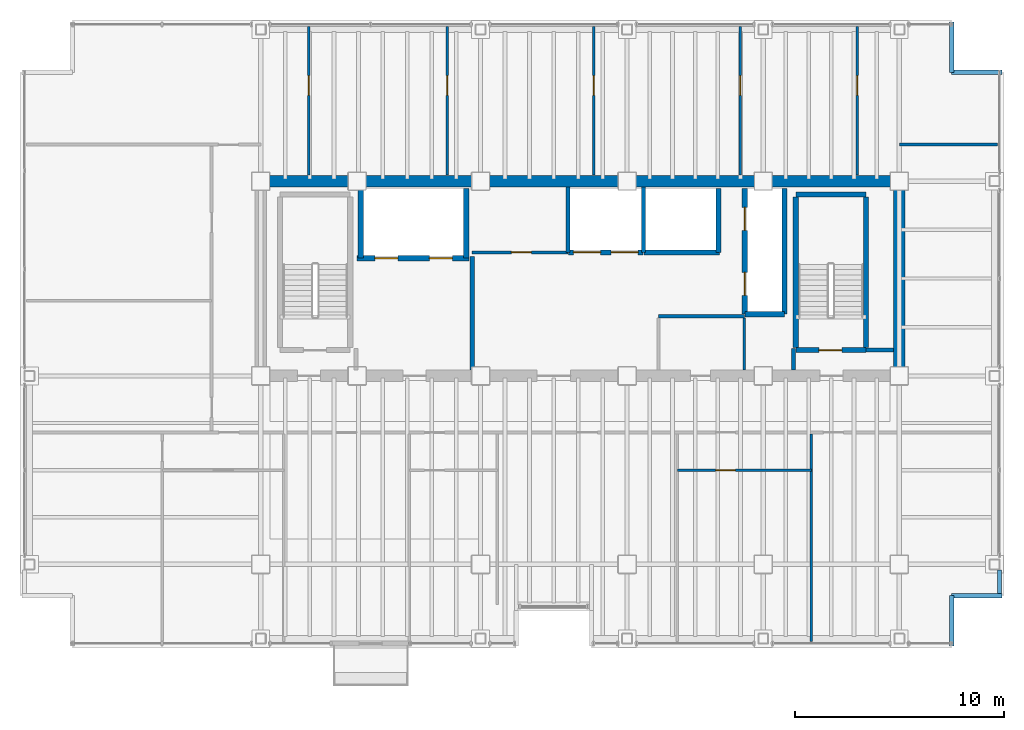
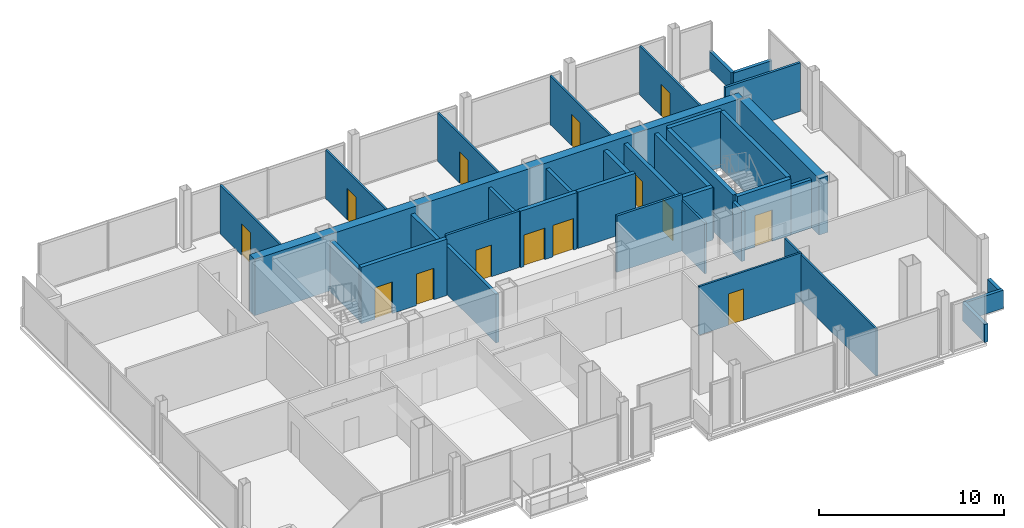
# One storey, part 17 of 19: 36 walls, 14 doors, 14 openings.
"""IFC4 building model written with IfcOpenShell, lengths in metres."""

from ifc_helpers import new_model, si_unit, direction, frame, frame_2d, origin, place, context, subcontext, project, spatial, rectangle, extrude, material, layer, layer_set, type_object, element, fill, save


model = new_model("IFC4")

# Units and contexts
model_context = context("Model", 3, precision=1e-05, world=origin(), true_north=direction((0.0, 1.0)))
body_context = subcontext(model_context, "Body", "Model", "MODEL_VIEW")
ifc_project = project(units=[si_unit("LENGTHUNIT", "METRE"), si_unit("AREAUNIT", "SQUARE_METRE"), si_unit("VOLUMEUNIT", "CUBIC_METRE"), si_unit("PLANEANGLEUNIT", "RADIAN"), si_unit("MASSUNIT", "GRAM", prefix="KILO")], contexts=[model_context])

# Site, building, storey
site_placement = place(None, origin())
site = spatial("IfcSite", under=ifc_project, at=site_placement, CompositionType="ELEMENT")
building_placement = place(site_placement, origin())
building = spatial("IfcBuilding", under=site, at=building_placement, Name="Noeulbin Bourse Tower", CompositionType="ELEMENT")
storey_placement = place(building_placement, frame((0.0, 0.0, 153.89990234375)))
storey = spatial("IfcBuildingStorey", under=building, at=storey_placement, Name="L38", CompositionType="ELEMENT", Elevation=153.89990234375)

# Walls
ifc_material_1 = material(Name="Concrete C60/75", Category="concrete")
ifc_layer_1 = layer(ifc_material_1, 0.550048828125)
ifc_layer_set_1 = layer_set([ifc_layer_1], Name="Concrete C60/75")
wall_type_1 = type_object("IfcWallType", Name="WAL-CORE-550", PredefinedType="SHEAR", material=ifc_layer_set_1)
wall_1_placement = place(storey_placement, frame((13.5, 38.300048828125, 0.0), z_axis=(0.0, 0.0, 1.0), x_axis=(1.0, 0.0, 0.0)))
element("IfcWall", 1, at=wall_1_placement, inside=storey, type_object=wall_type_1, Name="Rear Core North Shear Wall L38", PredefinedType="SHEAR", context=body_context, shape_type="SweptSolid", body=[
    extrude(rectangle(XDim=30.5, YDim=0.550048828125, at=frame_2d((15.25, 0.0))), origin(), (0.0, 0.0, 1.0), 3.72021484375),
])
wall_2_placement = place(storey_placement, frame((44.0, 29.35009765625, 0.0), z_axis=(0.0, 0.0, 1.0), x_axis=(0.0, 1.0, 0.0)))
element("IfcWall", 2, at=wall_2_placement, inside=storey, type_object=wall_type_1, Name="Rear Core East Shear Wall L38", PredefinedType="SHEAR", context=body_context, shape_type="SweptSolid", body=[
    extrude(rectangle(XDim=8.599853515625, YDim=0.550048828125, at=frame_2d((4.2998046875, 0.0))), origin(), (0.0, 0.0, 1.0), 3.72021484375),
])
ifc_material_2 = material(Name="Concrete C40/50", Category="concrete")
ifc_layer_2 = layer(ifc_material_2, 0.199951171875)
ifc_layer_set_2 = layer_set([ifc_layer_2], Name="Concrete C40/50")
wall_type_2 = type_object("IfcWallType", Name="WAL-FIRE-200", PredefinedType="STANDARD", material=ifc_layer_set_2)
wall_3_placement = place(storey_placement, frame((42.39990234375, 30.239990234375, 0.0), z_axis=(0.0, 0.0, 1.0), x_axis=(1.0, 0.0, 0.0)))
element("IfcWall", 3, at=wall_3_placement, inside=storey, type_object=wall_type_2, Name="Interior Partition Wall L38-01", PredefinedType="STANDARD", context=body_context, shape_type="SweptSolid", body=[
    extrude(rectangle(XDim=1.315185546875, YDim=0.199951171875, at=frame_2d((0.65771484375, 0.0))), origin(), (0.0, 0.0, 1.0), 3.2001953125),
])
wall_4_placement = place(storey_placement, frame((38.949951171875, 29.284912109375, 0.0), z_axis=(0.0, 0.0, 1.0), x_axis=(0.0, 1.0, 0.0)))
element("IfcWall", 4, at=wall_4_placement, inside=storey, type_object=wall_type_2, Name="Interior Partition Wall L38-12", PredefinedType="STANDARD", context=body_context, shape_type="SweptSolid", body=[
    extrude(rectangle(XDim=1.01513671875, YDim=0.199951171875, at=frame_2d((0.507568359375, 0.0))), origin(), (0.0, 0.0, 1.0), 3.35009765625),
])
wall_5_placement = place(storey_placement, frame((23.60009765625, 29.284912109375, 0.0), z_axis=(0.0, 0.0, 1.0), x_axis=(0.0, 1.0, 0.0)))
element("IfcWall", 5, at=wall_5_placement, inside=storey, type_object=wall_type_2, Name="Interior Partition Wall L38-13", PredefinedType="STANDARD", context=body_context, shape_type="SweptSolid", body=[
    extrude(rectangle(XDim=5.4150390625, YDim=0.199951171875, at=frame_2d((2.70751953125, 0.0))), origin(), (0.0, 0.0, 1.0), 3.2001953125),
])
ifc_layer_3 = layer(ifc_material_2, 0.199951171875)
ifc_layer_set_3 = layer_set([ifc_layer_3], Name="Concrete C40/50")
wall_type_3 = type_object("IfcWallType", Name="WAL-PAR-200", PredefinedType="PARAPET", material=ifc_layer_set_3)
wall_6_placement = place(storey_placement, frame((48.780029296875, 18.60009765625, 0.0), z_axis=(0.0, 0.0, 1.0), x_axis=(0.0, 1.0, 0.0)))
element("IfcWall", 6, at=wall_6_placement, inside=storey, type_object=wall_type_3, Name="Perimeter Pier Spandrel Parapet L38-E2", PredefinedType="PARAPET", context=body_context, shape_type="SweptSolid", body=[
    extrude(rectangle(XDim=1.1298828125, YDim=0.199951171875, at=frame_2d((0.56494140625, 0.0))), origin(), (0.0, 0.0, 1.0), 1.2001953125),
])
for number, where, z_axis, x_axis, name in (
    (7, (46.5, 16.10009765625, 0.0), (0.0, 0.0, 1.0), (0.0, 1.0, 0.0), "Corner Notch Parapet L38-SE1"),
    (8, (46.5, 18.5, 0.0), (0.0, 0.0, 1.0), (1.0, 0.0, 0.0), "Corner Notch Parapet L38-SE2"),
    (9, (46.5, 45.89990234375, 0.0), (0.0, 0.0, 1.0), (0.0, -1.0, 0.0), "Corner Notch Parapet L38-NE1"),
    (10, (46.5, 43.5, 0.0), (0.0, 0.0, 1.0), (1.0, 0.0, 0.0), "Corner Notch Parapet L38-NE2"),
):
    element("IfcWall", number, at=place(storey_placement, frame(where, z_axis=z_axis, x_axis=x_axis)), inside=storey, type_object=wall_type_3, Name=name, PredefinedType="PARAPET", context=body_context, shape_type="SweptSolid", body=[
        extrude(rectangle(XDim=2.39990234375, YDim=0.199951171875, at=frame_2d((1.199951171875, 0.0))), origin(), (0.0, 0.0, 1.0), 1.2001953125),
    ])

# Wall, opening, door
ifc_material_3 = material(Name="Steel Stud Gypsum Partition", Category="steel")
ifc_layer_4 = layer(ifc_material_3, 0.1201171875)
ifc_layer_set_4 = layer_set([ifc_layer_4], Name="Steel Stud Gypsum Partition")
wall_type_4 = type_object("IfcWallType", Name="WAL-PRT-120", PredefinedType="PARTITIONING", material=ifc_layer_set_4)
wall_7_placement = place(storey_placement, frame((33.39990234375, 24.5, 0.0), z_axis=(0.0, 0.0, 1.0), x_axis=(1.0, 0.0, 0.0)))
wall_7 = element("IfcWall", 11, at=wall_7_placement, inside=storey, type_object=wall_type_4, Name="Interior Partition Wall L38-07", PredefinedType="PARTITIONING", context=body_context, shape_type="SweptSolid", body=[
    extrude(rectangle(XDim=6.400146484375, YDim=0.1201171875, at=frame_2d((3.2001953125, 0.0))), origin(), (0.0, 0.0, 1.0), 3.2001953125),
])
opening_1_placement = place(wall_7_placement, frame((1.824951171875, 0.0, 0.0)))
opening_1 = element("IfcOpeningElement", 12, at=opening_1_placement, cuts=wall_7, Name="Opening ID-09", PredefinedType="OPENING", context=body_context, shape_type="SweptSolid", body=[
    extrude(rectangle(XDim=0.949951171875, YDim=2.080078125, at=frame_2d((0.47509765625, 1.0400390625))), frame((0.0, 0.070068359375, 0.0), z_axis=(0.0, -1.0, 0.0), x_axis=(1.0, 0.0, 0.0)), (0.0, 0.0, 1.0), 0.14013671875),
])
ifc_material_4 = material(Name="Acoustic Solid-Core Timber", Category="wood")
door_type_1 = type_object("IfcDoorType", Name="DR-SINGLE-950", OperationType="SINGLE_SWING_LEFT", PredefinedType="DOOR", material=ifc_material_4)
door_1_placement = place(opening_1_placement, origin())
door_1 = element("IfcDoor", 13, at=door_1_placement, inside=storey, type_object=door_type_1, Name="Interior Door L38-14", OperationType="SINGLE_SWING_RIGHT", OverallHeight=2.080078125, OverallWidth=0.949951171875, PredefinedType="DOOR", context=body_context, shape_type="SweptSolid", body=[
    extrude(rectangle(XDim=0.949951171875, YDim=2.080078125, at=frame_2d((0.47509765625, 1.0400390625))), frame((0.0, 0.02490234375, 0.0), z_axis=(0.0, -1.0, 0.0), x_axis=(1.0, 0.0, 0.0)), (0.0, 0.0, 1.0), 0.050048828125),
])
fill(opening_1, door_1)

# Walls
wall_8_placement = place(storey_placement, frame((36.60009765625, 29.284912109375, 0.0), z_axis=(0.0, 0.0, 1.0), x_axis=(0.0, 1.0, 0.0)))
element("IfcWall", 14, at=wall_8_placement, inside=storey, type_object=wall_type_4, Name="Interior Partition Wall L38-15", PredefinedType="PARTITIONING", context=body_context, shape_type="SweptSolid", body=[
    extrude(rectangle(XDim=2.47998046875, YDim=0.1201171875, at=frame_2d((1.239990234375, 0.0))), origin(), (0.0, 0.0, 1.0), 3.35009765625),
])
wall_9_placement = place(storey_placement, frame((39.800048828125, 16.31005859375, 0.0), z_axis=(0.0, 0.0, 1.0), x_axis=(0.0, 1.0, 0.0)))
element("IfcWall", 15, at=wall_9_placement, inside=storey, type_object=wall_type_4, Name="Interior Partition Wall L38-22", PredefinedType="PARTITIONING", context=body_context, shape_type="SweptSolid", body=[
    extrude(rectangle(XDim=9.905029296875, YDim=0.1201171875, at=frame_2d((4.95263671875, 0.0))), origin(), (0.0, 0.0, 1.0), 3.10009765625),
])

# Wall, opening, door
wall_10_placement = place(storey_placement, frame((15.800048828125, 38.5849609375, 0.0), z_axis=(0.0, 0.0, 1.0), x_axis=(0.0, 1.0, 0.0)))
wall_10 = element("IfcWall", 16, at=wall_10_placement, inside=storey, type_object=wall_type_4, Name="Interior Partition Wall L38-23", PredefinedType="PARTITIONING", context=body_context, shape_type="SweptSolid", body=[
    extrude(rectangle(XDim=7.10498046875, YDim=0.1201171875, at=frame_2d((3.552490234375, 0.0))), origin(), (0.0, 0.0, 1.0), 3.212158203125),
])
opening_2_placement = place(wall_10_placement, frame((3.81005859375, 0.0, 0.0)))
opening_2 = element("IfcOpeningElement", 17, at=opening_2_placement, cuts=wall_10, Name="Opening ID-09", PredefinedType="OPENING", context=body_context, shape_type="SweptSolid", body=[
    extrude(rectangle(XDim=0.949951171875, YDim=2.080078125, at=frame_2d((0.47509765625, 1.0400390625))), frame((0.0, 0.070068359375, 0.0), z_axis=(0.0, -1.0, 0.0), x_axis=(1.0, 0.0, 0.0)), (0.0, 0.0, 1.0), 0.14013671875),
])
door_2_placement = place(opening_2_placement, origin())
door_2 = element("IfcDoor", 18, at=door_2_placement, inside=storey, type_object=door_type_1, Name="Interior Door L38-20", OperationType="SINGLE_SWING_RIGHT", OverallHeight=2.080078125, OverallWidth=0.949951171875, PredefinedType="DOOR", context=body_context, shape_type="SweptSolid", body=[
    extrude(rectangle(XDim=0.949951171875, YDim=2.080078125, at=frame_2d((0.47509765625, 1.0400390625))), frame((0.0, 0.02490234375, 0.0), z_axis=(0.0, -1.0, 0.0), x_axis=(1.0, 0.0, 0.0)), (0.0, 0.0, 1.0), 0.050048828125),
])
fill(opening_2, door_2)

wall_11_placement = place(storey_placement, frame((22.39990234375, 38.5849609375, 0.0), z_axis=(0.0, 0.0, 1.0), x_axis=(0.0, 1.0, 0.0)))
wall_11 = element("IfcWall", 19, at=wall_11_placement, inside=storey, type_object=wall_type_4, Name="Interior Partition Wall L38-24", PredefinedType="PARTITIONING", context=body_context, shape_type="SweptSolid", body=[
    extrude(rectangle(XDim=7.10498046875, YDim=0.1201171875, at=frame_2d((3.552490234375, 0.0))), origin(), (0.0, 0.0, 1.0), 3.212158203125),
])
opening_3_placement = place(wall_11_placement, frame((3.81005859375, 0.0, 0.0)))
opening_3 = element("IfcOpeningElement", 20, at=opening_3_placement, cuts=wall_11, Name="Opening ID-09", PredefinedType="OPENING", context=body_context, shape_type="SweptSolid", body=[
    extrude(rectangle(XDim=0.949951171875, YDim=2.080078125, at=frame_2d((0.47509765625, 1.0400390625))), frame((0.0, 0.070068359375, 0.0), z_axis=(0.0, -1.0, 0.0), x_axis=(1.0, 0.0, 0.0)), (0.0, 0.0, 1.0), 0.14013671875),
])
door_3_placement = place(opening_3_placement, origin())
door_3 = element("IfcDoor", 21, at=door_3_placement, inside=storey, type_object=door_type_1, Name="Interior Door L38-21", OperationType="SINGLE_SWING_LEFT", OverallHeight=2.080078125, OverallWidth=0.949951171875, PredefinedType="DOOR", context=body_context, shape_type="SweptSolid", body=[
    extrude(rectangle(XDim=0.949951171875, YDim=2.080078125, at=frame_2d((0.47509765625, 1.0400390625))), frame((0.0, 0.02490234375, 0.0), z_axis=(0.0, -1.0, 0.0), x_axis=(1.0, 0.0, 0.0)), (0.0, 0.0, 1.0), 0.050048828125),
])
fill(opening_3, door_3)

wall_12_placement = place(storey_placement, frame((29.39990234375, 38.5849609375, 0.0), z_axis=(0.0, 0.0, 1.0), x_axis=(0.0, 1.0, 0.0)))
wall_12 = element("IfcWall", 22, at=wall_12_placement, inside=storey, type_object=wall_type_4, Name="Interior Partition Wall L38-25", PredefinedType="PARTITIONING", context=body_context, shape_type="SweptSolid", body=[
    extrude(rectangle(XDim=7.10498046875, YDim=0.1201171875, at=frame_2d((3.552490234375, 0.0))), origin(), (0.0, 0.0, 1.0), 3.212158203125),
])
opening_4_placement = place(wall_12_placement, frame((3.81005859375, 0.0, 0.0)))
opening_4 = element("IfcOpeningElement", 23, at=opening_4_placement, cuts=wall_12, Name="Opening ID-09", PredefinedType="OPENING", context=body_context, shape_type="SweptSolid", body=[
    extrude(rectangle(XDim=0.949951171875, YDim=2.080078125, at=frame_2d((0.47509765625, 1.0400390625))), frame((0.0, 0.070068359375, 0.0), z_axis=(0.0, -1.0, 0.0), x_axis=(1.0, 0.0, 0.0)), (0.0, 0.0, 1.0), 0.14013671875),
])
door_4_placement = place(opening_4_placement, origin())
door_4 = element("IfcDoor", 24, at=door_4_placement, inside=storey, type_object=door_type_1, Name="Interior Door L38-22", OperationType="SINGLE_SWING_RIGHT", OverallHeight=2.080078125, OverallWidth=0.949951171875, PredefinedType="DOOR", context=body_context, shape_type="SweptSolid", body=[
    extrude(rectangle(XDim=0.949951171875, YDim=2.080078125, at=frame_2d((0.47509765625, 1.0400390625))), frame((0.0, 0.02490234375, 0.0), z_axis=(0.0, -1.0, 0.0), x_axis=(1.0, 0.0, 0.0)), (0.0, 0.0, 1.0), 0.050048828125),
])
fill(opening_4, door_4)

wall_13_placement = place(storey_placement, frame((36.39990234375, 38.5849609375, 0.0), z_axis=(0.0, 0.0, 1.0), x_axis=(0.0, 1.0, 0.0)))
wall_13 = element("IfcWall", 25, at=wall_13_placement, inside=storey, type_object=wall_type_4, Name="Interior Partition Wall L38-26", PredefinedType="PARTITIONING", context=body_context, shape_type="SweptSolid", body=[
    extrude(rectangle(XDim=7.10498046875, YDim=0.1201171875, at=frame_2d((3.552490234375, 0.0))), origin(), (0.0, 0.0, 1.0), 3.212158203125),
])
opening_5_placement = place(wall_13_placement, frame((3.81005859375, 0.0, 0.0)))
opening_5 = element("IfcOpeningElement", 26, at=opening_5_placement, cuts=wall_13, Name="Opening ID-09", PredefinedType="OPENING", context=body_context, shape_type="SweptSolid", body=[
    extrude(rectangle(XDim=0.949951171875, YDim=2.080078125, at=frame_2d((0.47509765625, 1.0400390625))), frame((0.0, 0.070068359375, 0.0), z_axis=(0.0, -1.0, 0.0), x_axis=(1.0, 0.0, 0.0)), (0.0, 0.0, 1.0), 0.14013671875),
])
door_5_placement = place(opening_5_placement, origin())
door_5 = element("IfcDoor", 27, at=door_5_placement, inside=storey, type_object=door_type_1, Name="Interior Door L38-23", OperationType="SINGLE_SWING_LEFT", OverallHeight=2.080078125, OverallWidth=0.949951171875, PredefinedType="DOOR", context=body_context, shape_type="SweptSolid", body=[
    extrude(rectangle(XDim=0.949951171875, YDim=2.080078125, at=frame_2d((0.47509765625, 1.0400390625))), frame((0.0, 0.02490234375, 0.0), z_axis=(0.0, -1.0, 0.0), x_axis=(1.0, 0.0, 0.0)), (0.0, 0.0, 1.0), 0.050048828125),
])
fill(opening_5, door_5)

wall_14_placement = place(storey_placement, frame((42.0, 38.5849609375, 0.0), z_axis=(0.0, 0.0, 1.0), x_axis=(0.0, 1.0, 0.0)))
wall_14 = element("IfcWall", 28, at=wall_14_placement, inside=storey, type_object=wall_type_4, Name="Interior Partition Wall L38-27", PredefinedType="PARTITIONING", context=body_context, shape_type="SweptSolid", body=[
    extrude(rectangle(XDim=7.10498046875, YDim=0.1201171875, at=frame_2d((3.552490234375, 0.0))), origin(), (0.0, 0.0, 1.0), 3.212158203125),
])
opening_6_placement = place(wall_14_placement, frame((3.81005859375, 0.0, 0.0)))
opening_6 = element("IfcOpeningElement", 29, at=opening_6_placement, cuts=wall_14, Name="Opening ID-09", PredefinedType="OPENING", context=body_context, shape_type="SweptSolid", body=[
    extrude(rectangle(XDim=0.949951171875, YDim=2.080078125, at=frame_2d((0.47509765625, 1.0400390625))), frame((0.0, 0.070068359375, 0.0), z_axis=(0.0, -1.0, 0.0), x_axis=(1.0, 0.0, 0.0)), (0.0, 0.0, 1.0), 0.14013671875),
])
door_6_placement = place(opening_6_placement, origin())
door_6 = element("IfcDoor", 30, at=door_6_placement, inside=storey, type_object=door_type_1, Name="Interior Door L38-24", OperationType="SINGLE_SWING_RIGHT", OverallHeight=2.080078125, OverallWidth=0.949951171875, PredefinedType="DOOR", context=body_context, shape_type="SweptSolid", body=[
    extrude(rectangle(XDim=0.949951171875, YDim=2.080078125, at=frame_2d((0.47509765625, 1.0400390625))), frame((0.0, 0.02490234375, 0.0), z_axis=(0.0, -1.0, 0.0), x_axis=(1.0, 0.0, 0.0)), (0.0, 0.0, 1.0), 0.050048828125),
])
fill(opening_6, door_6)

ifc_material_5 = material(Name="Steel Stud Acoustic Gypsum Board", Category="steel")
ifc_layer_5 = layer(ifc_material_5, 0.14990234375)
ifc_layer_set_5 = layer_set([ifc_layer_5], Name="Steel Stud Acoustic Gypsum Board")
wall_type_5 = type_object("IfcWallType", Name="WAL-PRT-150", PredefinedType="PARTITIONING", material=ifc_layer_set_5)
wall_15_placement = place(storey_placement, frame((23.60009765625, 34.89990234375, 0.0), z_axis=(0.0, 0.0, 1.0), x_axis=(1.0, 0.0, 0.0)))
wall_15 = element("IfcWall", 31, at=wall_15_placement, inside=storey, type_object=wall_type_5, Name="Interior Partition Wall L38-02", PredefinedType="PARTITIONING", context=body_context, shape_type="SweptSolid", body=[
    extrude(rectangle(XDim=4.579833984375, YDim=0.14990234375, at=frame_2d((2.2900390625, 0.0))), origin(), (0.0, 0.0, 1.0), 3.72021484375),
])
opening_7_placement = place(wall_15_placement, frame((1.875, 0.0, 0.0)))
opening_7 = element("IfcOpeningElement", 32, at=opening_7_placement, cuts=wall_15, Name="Opening ID-09", PredefinedType="OPENING", context=body_context, shape_type="SweptSolid", body=[
    extrude(rectangle(XDim=0.949951171875, YDim=2.080078125, at=frame_2d((0.47509765625, 1.0400390625))), frame((0.0, 0.0849609375, 0.0), z_axis=(0.0, -1.0, 0.0), x_axis=(1.0, 0.0, 0.0)), (0.0, 0.0, 1.0), 0.169921875),
])
door_7_placement = place(opening_7_placement, origin())
door_7 = element("IfcDoor", 33, at=door_7_placement, inside=storey, type_object=door_type_1, Name="Archive Room Door L38", OperationType="SINGLE_SWING_LEFT", OverallHeight=2.080078125, OverallWidth=0.949951171875, PredefinedType="DOOR", context=body_context, shape_type="SweptSolid", body=[
    extrude(rectangle(XDim=0.949951171875, YDim=2.080078125, at=frame_2d((0.47509765625, 1.0400390625))), frame((0.0, 0.02490234375, 0.0), z_axis=(0.0, -1.0, 0.0), x_axis=(1.0, 0.0, 0.0)), (0.0, 0.0, 1.0), 0.050048828125),
])
fill(opening_7, door_7)

# Walls
wall_16_placement = place(storey_placement, frame((32.5, 31.85009765625, 0.0), z_axis=(0.0, 0.0, 1.0), x_axis=(1.0, 0.0, 0.0)))
element("IfcWall", 34, at=wall_16_placement, inside=storey, type_object=wall_type_5, Name="Interior Partition Wall L38-03", PredefinedType="PARTITIONING", context=body_context, shape_type="SweptSolid", body=[
    extrude(rectangle(XDim=4.10009765625, YDim=0.14990234375, at=frame_2d((2.050048828125, 0.0))), origin(), (0.0, 0.0, 1.0), 3.72021484375),
])
wall_17_placement = place(storey_placement, frame((44.0, 40.050048828125, 0.0), z_axis=(0.0, 0.0, 1.0), x_axis=(1.0, 0.0, 0.0)))
element("IfcWall", 35, at=wall_17_placement, inside=storey, type_object=wall_type_5, Name="Interior Partition Wall L38-10", PredefinedType="PARTITIONING", context=body_context, shape_type="SweptSolid", body=[
    extrude(rectangle(XDim=4.68994140625, YDim=0.14990234375, at=frame_2d((2.344970703125, 0.0))), origin(), (0.0, 0.0, 1.0), 3.2001953125),
])

# Wall, opening, door
ifc_layer_6 = layer(ifc_material_2, 0.25)
ifc_layer_set_6 = layer_set([ifc_layer_6], Name="Concrete C40/50")
wall_type_6 = type_object("IfcWallType", Name="WAL-SHFT-250", PredefinedType="STANDARD", material=ifc_layer_set_6)
wall_18_placement = place(storey_placement, frame((39.06005859375, 30.235107421875, 0.0), z_axis=(0.0, 0.0, 1.0), x_axis=(1.0, 0.0, 0.0)))
wall_18 = element("IfcWall", 36, at=wall_18_placement, inside=storey, type_object=wall_type_6, Name="Stair ST-2 South Shaft Wall L38", PredefinedType="STANDARD", context=body_context, shape_type="SweptSolid", body=[
    extrude(rectangle(XDim=3.33984375, YDim=0.25, at=frame_2d((1.669921875, 0.0))), origin(), (0.0, 0.0, 1.0), 3.72021484375),
])
opening_8_placement = place(wall_18_placement, frame((1.10009765625, 0.0, 0.0)))
opening_8 = element("IfcOpeningElement", 37, at=opening_8_placement, cuts=wall_18, Name="Opening FD-11", PredefinedType="OPENING", context=body_context, shape_type="SweptSolid", body=[
    extrude(rectangle(XDim=1.10009765625, YDim=2.080078125, at=frame_2d((0.550048828125, 1.0400390625))), frame((0.0, 0.135009765625, 0.0), z_axis=(0.0, -1.0, 0.0), x_axis=(1.0, 0.0, 0.0)), (0.0, 0.0, 1.0), 0.27001953125),
])
ifc_material_6 = material(Name="Fire-Rated Insulated Steel", Category="steel")
door_type_2 = type_object("IfcDoorType", Name="DR-FD60-1100", OperationType="SINGLE_SWING_LEFT", PredefinedType="DOOR", material=ifc_material_6)
door_8_placement = place(opening_8_placement, origin())
door_8 = element("IfcDoor", 38, at=door_8_placement, inside=storey, type_object=door_type_2, Name="Protected Stair Entry Door ST2-L38", OperationType="SINGLE_SWING_RIGHT", OverallHeight=2.080078125, OverallWidth=1.10009765625, PredefinedType="DOOR", context=body_context, shape_type="SweptSolid", body=[
    extrude(rectangle(XDim=1.10009765625, YDim=2.080078125, at=frame_2d((0.550048828125, 1.0400390625))), frame((0.0, 0.02490234375, 0.0), z_axis=(0.0, -1.0, 0.0), x_axis=(1.0, 0.0, 0.0)), (0.0, 0.0, 1.0), 0.050048828125),
])
fill(opening_8, door_8)

# Walls
wall_19_placement = place(storey_placement, frame((39.06005859375, 37.6689453125, 0.0), z_axis=(0.0, 0.0, 1.0), x_axis=(1.0, 0.0, 0.0)))
element("IfcWall", 39, at=wall_19_placement, inside=storey, type_object=wall_type_6, Name="Stair ST-2 North Shaft Wall L38", PredefinedType="STANDARD", context=body_context, shape_type="SweptSolid", body=[
    extrude(rectangle(XDim=3.33984375, YDim=0.25, at=frame_2d((1.669921875, 0.0))), origin(), (0.0, 0.0, 1.0), 3.72021484375),
])
for number, where, z_axis, x_axis, name in (
    (40, (39.054931640625, 30.360107421875, 0.0), (0.0, 0.0, 1.0), (0.0, 1.0, 0.0), "Stair ST-2 West Shaft Wall L38"),
    (41, (42.405029296875, 30.360107421875, 0.0), (0.0, 0.0, 1.0), (0.0, 1.0, 0.0), "Stair ST-2 East Shaft Wall L38"),
):
    element("IfcWall", number, at=place(storey_placement, frame(where, z_axis=z_axis, x_axis=x_axis)), inside=storey, type_object=wall_type_6, Name=name, PredefinedType="STANDARD", context=body_context, shape_type="SweptSolid", body=[
        extrude(rectangle(XDim=7.183837890625, YDim=0.25, at=frame_2d((3.591796875, 0.0))), origin(), (0.0, 0.0, 1.0), 3.72021484375),
    ])

# Wall, openings, doors
wall_20_placement = place(storey_placement, frame((18.10009765625, 34.6201171875, 0.0), z_axis=(0.0, 0.0, 1.0), x_axis=(1.0, 0.0, 0.0)))
wall_20 = element("IfcWall", 42, at=wall_20_placement, inside=storey, type_object=wall_type_6, Name="Firefighting Lift Shaft Front L38", PredefinedType="STANDARD", context=body_context, shape_type="SweptSolid", body=[
    extrude(rectangle(XDim=5.349853515625, YDim=0.25, at=frame_2d((2.6748046875, 0.0))), origin(), (0.0, 0.0, 1.0), 3.72021484375),
])
opening_9_placement = place(wall_20_placement, frame((0.85009765625, 0.0, 0.0)))
opening_9 = element("IfcOpeningElement", 43, at=opening_9_placement, cuts=wall_20, Name="Opening LD-11", PredefinedType="OPENING", context=body_context, shape_type="SweptSolid", body=[
    extrude(rectangle(XDim=1.10009765625, YDim=2.080078125, at=frame_2d((0.550048828125, 1.0400390625))), frame((0.0, 0.135009765625, 0.0), z_axis=(0.0, -1.0, 0.0), x_axis=(1.0, 0.0, 0.0)), (0.0, 0.0, 1.0), 0.27001953125),
])
opening_10_placement = place(wall_20_placement, frame((3.449951171875, 0.0, 0.0)))
opening_10 = element("IfcOpeningElement", 44, at=opening_10_placement, cuts=wall_20, Name="Opening LD-11", PredefinedType="OPENING", context=body_context, shape_type="SweptSolid", body=[
    extrude(rectangle(XDim=1.10009765625, YDim=2.080078125, at=frame_2d((0.550048828125, 1.0400390625))), frame((0.0, 0.135009765625, 0.0), z_axis=(0.0, -1.0, 0.0), x_axis=(1.0, 0.0, 0.0)), (0.0, 0.0, 1.0), 0.27001953125),
])
ifc_material_7 = material(Name="Brushed Stainless Steel 316", Category="steel")
door_type_3 = type_object("IfcDoorType", Name="DR-LIFT-1100", OperationType="SLIDING_TO_LEFT", PredefinedType="DOOR", material=ifc_material_7)
door_9_placement = place(opening_9_placement, origin())
door_9 = element("IfcDoor", 45, at=door_9_placement, inside=storey, type_object=door_type_3, Name="Lift Landing Door LD-FL-01-L38", OperationType="SLIDING_TO_LEFT", OverallHeight=2.080078125, OverallWidth=1.10009765625, PredefinedType="DOOR", context=body_context, shape_type="SweptSolid", body=[
    extrude(rectangle(XDim=1.10009765625, YDim=2.080078125, at=frame_2d((0.550048828125, 1.0400390625))), frame((0.0, 0.02490234375, 0.0), z_axis=(0.0, -1.0, 0.0), x_axis=(1.0, 0.0, 0.0)), (0.0, 0.0, 1.0), 0.050048828125),
])
fill(opening_9, door_9)
door_10_placement = place(opening_10_placement, origin())
door_10 = element("IfcDoor", 46, at=door_10_placement, inside=storey, type_object=door_type_3, Name="Lift Landing Door LD-FL-02-L38", OperationType="SLIDING_TO_LEFT", OverallHeight=2.080078125, OverallWidth=1.10009765625, PredefinedType="DOOR", context=body_context, shape_type="SweptSolid", body=[
    extrude(rectangle(XDim=1.10009765625, YDim=2.080078125, at=frame_2d((0.550048828125, 1.0400390625))), frame((0.0, 0.02490234375, 0.0), z_axis=(0.0, -1.0, 0.0), x_axis=(1.0, 0.0, 0.0)), (0.0, 0.0, 1.0), 0.050048828125),
])
fill(opening_10, door_10)

wall_21_placement = place(storey_placement, frame((36.6201171875, 31.949951171875, 0.0), z_axis=(0.0, 0.0, 1.0), x_axis=(0.0, 1.0, 0.0)))
wall_21 = element("IfcWall", 47, at=wall_21_placement, inside=storey, type_object=wall_type_6, Name="Service Lift Shaft Wall L38", PredefinedType="STANDARD", context=body_context, shape_type="SweptSolid", body=[
    extrude(rectangle(XDim=6.0, YDim=0.25, at=frame_2d((3.0, 0.0))), origin(), (0.0, 0.0, 1.0), 3.35009765625),
])
opening_11_placement = place(wall_21_placement, frame((0.89990234375, 0.0, 0.0)))
opening_11 = element("IfcOpeningElement", 48, at=opening_11_placement, cuts=wall_21, Name="Opening LD-11", PredefinedType="OPENING", context=body_context, shape_type="SweptSolid", body=[
    extrude(rectangle(XDim=1.10009765625, YDim=2.080078125, at=frame_2d((0.550048828125, 1.0400390625))), frame((0.0, 0.135009765625, 0.0), z_axis=(0.0, -1.0, 0.0), x_axis=(1.0, 0.0, 0.0)), (0.0, 0.0, 1.0), 0.27001953125),
])
opening_12_placement = place(wall_21_placement, frame((4.0, 0.0, 0.0)))
opening_12 = element("IfcOpeningElement", 49, at=opening_12_placement, cuts=wall_21, Name="Opening LD-11", PredefinedType="OPENING", context=body_context, shape_type="SweptSolid", body=[
    extrude(rectangle(XDim=1.10009765625, YDim=2.080078125, at=frame_2d((0.550048828125, 1.0400390625))), frame((0.0, 0.135009765625, 0.0), z_axis=(0.0, -1.0, 0.0), x_axis=(1.0, 0.0, 0.0)), (0.0, 0.0, 1.0), 0.27001953125),
])
door_11_placement = place(opening_11_placement, origin())
door_11 = element("IfcDoor", 50, at=door_11_placement, inside=storey, type_object=door_type_3, Name="Lift Landing Door LD-EL-01-L38", OperationType="SLIDING_TO_LEFT", OverallHeight=2.080078125, OverallWidth=1.10009765625, PredefinedType="DOOR", context=body_context, shape_type="SweptSolid", body=[
    extrude(rectangle(XDim=1.10009765625, YDim=2.080078125, at=frame_2d((0.550048828125, 1.0400390625))), frame((0.0, 0.02490234375, 0.0), z_axis=(0.0, -1.0, 0.0), x_axis=(1.0, 0.0, 0.0)), (0.0, 0.0, 1.0), 0.050048828125),
])
fill(opening_11, door_11)
door_12_placement = place(opening_12_placement, origin())
door_12 = element("IfcDoor", 51, at=door_12_placement, inside=storey, type_object=door_type_3, Name="Lift Landing Door LD-SV-01-L38", OperationType="SLIDING_TO_LEFT", OverallHeight=2.080078125, OverallWidth=1.10009765625, PredefinedType="DOOR", context=body_context, shape_type="SweptSolid", body=[
    extrude(rectangle(XDim=1.10009765625, YDim=2.080078125, at=frame_2d((0.550048828125, 1.0400390625))), frame((0.0, 0.02490234375, 0.0), z_axis=(0.0, -1.0, 0.0), x_axis=(1.0, 0.0, 0.0)), (0.0, 0.0, 1.0), 0.050048828125),
])
fill(opening_12, door_12)

# Walls
wall_22_placement = place(storey_placement, frame((38.52001953125, 31.949951171875, 0.0), z_axis=(0.0, 0.0, 1.0), x_axis=(0.0, 1.0, 0.0)))
element("IfcWall", 52, at=wall_22_placement, inside=storey, type_object=wall_type_6, Name="Service Lift East Shaft Wall L38", PredefinedType="STANDARD", context=body_context, shape_type="SweptSolid", body=[
    extrude(rectangle(XDim=6.0, YDim=0.25, at=frame_2d((3.0, 0.0))), origin(), (0.0, 0.0, 1.0), 3.35009765625),
])
wall_23_placement = place(storey_placement, frame((36.6201171875, 31.949951171875, 0.0), z_axis=(0.0, 0.0, 1.0), x_axis=(1.0, 0.0, 0.0)))
element("IfcWall", 53, at=wall_23_placement, inside=storey, type_object=wall_type_6, Name="Service Lift South Shaft Wall L38", PredefinedType="STANDARD", context=body_context, shape_type="SweptSolid", body=[
    extrude(rectangle(XDim=1.89990234375, YDim=0.25, at=frame_2d((0.949951171875, 0.0))), origin(), (0.0, 0.0, 1.0), 3.47998046875),
])
for number, where, z_axis, x_axis, name in (
    (54, (18.280029296875, 34.6201171875, 0.0), (0.0, 0.0, 1.0), (0.0, 1.0, 0.0), "Firefighting Lift West Shaft Wall L38"),
    (55, (23.320068359375, 34.6201171875, 0.0), (0.0, 0.0, 1.0), (0.0, 1.0, 0.0), "Firefighting Lift East Shaft Wall L38"),
):
    element("IfcWall", number, at=place(storey_placement, frame(where, z_axis=z_axis, x_axis=x_axis)), inside=storey, type_object=wall_type_6, Name=name, PredefinedType="STANDARD", context=body_context, shape_type="SweptSolid", body=[
        extrude(rectangle(XDim=3.329833984375, YDim=0.25, at=frame_2d((1.6650390625, 0.0))), origin(), (0.0, 0.0, 1.0), 3.35009765625),
    ])
wall_24_placement = place(storey_placement, frame((35.360107421875, 34.89990234375, 0.0), z_axis=(0.0, 0.0, 1.0), x_axis=(0.0, 1.0, 0.0)))
element("IfcWall", 56, at=wall_24_placement, inside=storey, type_object=wall_type_6, Name="High-Rise Lift East Shaft Wall L38", PredefinedType="STANDARD", context=body_context, shape_type="SweptSolid", body=[
    extrude(rectangle(XDim=3.050048828125, YDim=0.25, at=frame_2d((1.52490234375, 0.0))), origin(), (0.0, 0.0, 1.0), 3.35009765625),
])

# Wall, openings, doors
wall_25_placement = place(storey_placement, frame((28.199951171875, 34.89990234375, 0.0), z_axis=(0.0, 0.0, 1.0), x_axis=(1.0, 0.0, 0.0)))
wall_25 = element("IfcWall", 57, at=wall_25_placement, inside=storey, type_object=wall_type_6, Name="Mid-Rise Lift Bank Front L38", PredefinedType="STANDARD", context=body_context, shape_type="SweptSolid", body=[
    extrude(rectangle(XDim=3.550048828125, YDim=0.25, at=frame_2d((1.77490234375, 0.0))), origin(), (0.0, 0.0, 1.0), 3.72021484375),
])
opening_13_placement = place(wall_25_placement, frame((0.22998046875, 0.0, 0.0)))
opening_13 = element("IfcOpeningElement", 58, at=opening_13_placement, cuts=wall_25, Name="Opening LD-13", PredefinedType="OPENING", context=body_context, shape_type="SweptSolid", body=[
    extrude(rectangle(XDim=1.300048828125, YDim=2.080078125, at=frame_2d((0.64990234375, 1.0400390625))), frame((0.0, 0.135009765625, 0.0), z_axis=(0.0, -1.0, 0.0), x_axis=(1.0, 0.0, 0.0)), (0.0, 0.0, 1.0), 0.27001953125),
])
opening_14_placement = place(wall_25_placement, frame((2.030029296875, 0.0, 0.0)))
opening_14 = element("IfcOpeningElement", 59, at=opening_14_placement, cuts=wall_25, Name="Opening LD-13", PredefinedType="OPENING", context=body_context, shape_type="SweptSolid", body=[
    extrude(rectangle(XDim=1.300048828125, YDim=2.080078125, at=frame_2d((0.64990234375, 1.0400390625))), frame((0.0, 0.135009765625, 0.0), z_axis=(0.0, -1.0, 0.0), x_axis=(1.0, 0.0, 0.0)), (0.0, 0.0, 1.0), 0.27001953125),
])
door_type_4 = type_object("IfcDoorType", Name="DR-LIFT-1300", OperationType="DOUBLE_DOOR_SLIDING", PredefinedType="DOOR", material=ifc_material_7)
door_13_placement = place(opening_13_placement, origin())
door_13 = element("IfcDoor", 60, at=door_13_placement, inside=storey, type_object=door_type_4, Name="Lift Landing Door LD-PL-M1-L38", OperationType="DOUBLE_DOOR_SLIDING", OverallHeight=2.080078125, OverallWidth=1.300048828125, PredefinedType="DOOR", context=body_context, shape_type="SweptSolid", body=[
    extrude(rectangle(XDim=1.300048828125, YDim=2.080078125, at=frame_2d((0.64990234375, 1.0400390625))), frame((0.0, 0.02490234375, 0.0), z_axis=(0.0, -1.0, 0.0), x_axis=(1.0, 0.0, 0.0)), (0.0, 0.0, 1.0), 0.050048828125),
])
fill(opening_13, door_13)
door_14_placement = place(opening_14_placement, origin())
door_14 = element("IfcDoor", 61, at=door_14_placement, inside=storey, type_object=door_type_4, Name="Lift Landing Door LD-PL-M2-L38", OperationType="DOUBLE_DOOR_SLIDING", OverallHeight=2.080078125, OverallWidth=1.300048828125, PredefinedType="DOOR", context=body_context, shape_type="SweptSolid", body=[
    extrude(rectangle(XDim=1.300048828125, YDim=2.080078125, at=frame_2d((0.64990234375, 1.0400390625))), frame((0.0, 0.02490234375, 0.0), z_axis=(0.0, -1.0, 0.0), x_axis=(1.0, 0.0, 0.0)), (0.0, 0.0, 1.0), 0.050048828125),
])
fill(opening_14, door_14)

# Walls
wall_26_placement = place(storey_placement, frame((31.800048828125, 34.89990234375, 0.0), z_axis=(0.0, 0.0, 1.0), x_axis=(1.0, 0.0, 0.0)))
element("IfcWall", 62, at=wall_26_placement, inside=storey, type_object=wall_type_6, Name="High-Rise Lift Bank Front L38", PredefinedType="STANDARD", context=body_context, shape_type="SweptSolid", body=[
    extrude(rectangle(XDim=3.599853515625, YDim=0.25, at=frame_2d((1.7998046875, 0.0))), origin(), (0.0, 0.0, 1.0), 3.72021484375),
])
for number, where, z_axis, x_axis, name in (
    (63, (28.179931640625, 34.89990234375, 0.0), (0.0, 0.0, 1.0), (0.0, 1.0, 0.0), "Hoistway Side Shaft Wall L38-PLMW"),
    (64, (31.780029296875, 34.89990234375, 0.0), (0.0, 0.0, 1.0), (0.0, 1.0, 0.0), "Hoistway Side Shaft Wall L38-PLHW"),
):
    element("IfcWall", number, at=place(storey_placement, frame(where, z_axis=z_axis, x_axis=x_axis)), inside=storey, type_object=wall_type_6, Name=name, PredefinedType="STANDARD", context=body_context, shape_type="SweptSolid", body=[
        extrude(rectangle(XDim=3.1201171875, YDim=0.199951171875, at=frame_2d((1.56005859375, 0.0))), origin(), (0.0, 0.0, 1.0), 3.35009765625),
    ])

save(model, "model.ifc")
